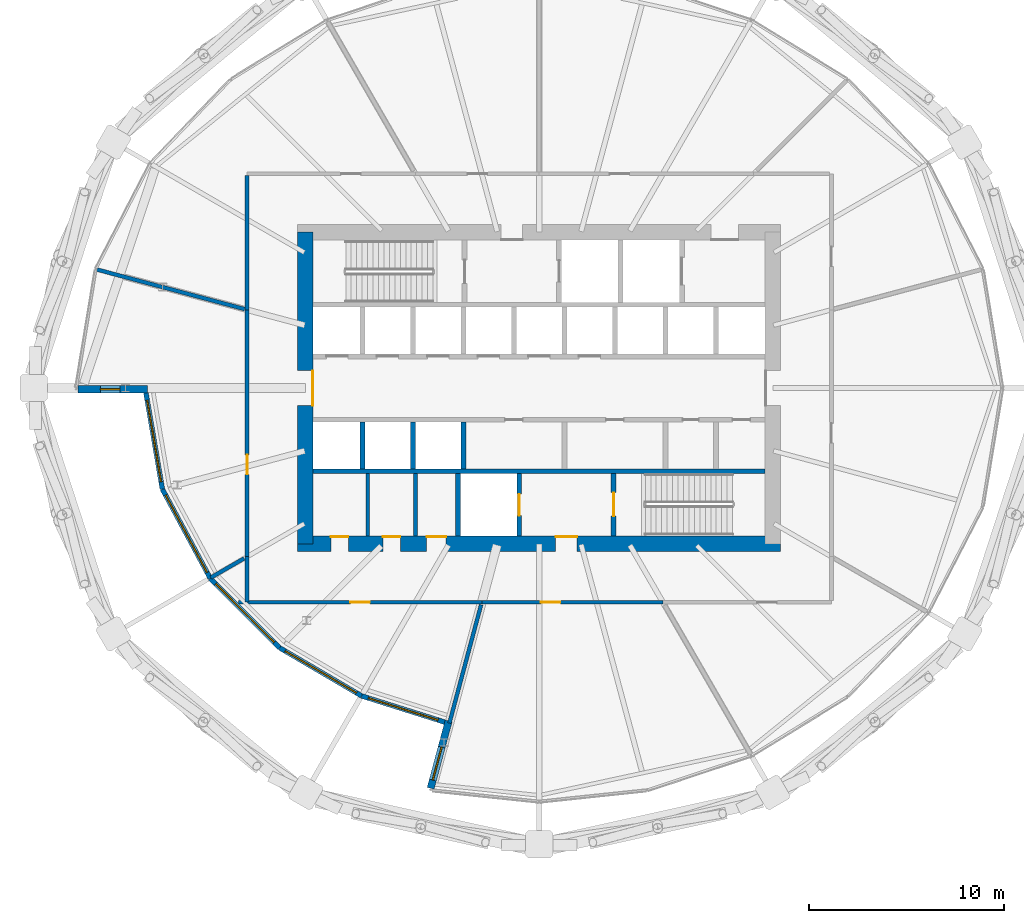
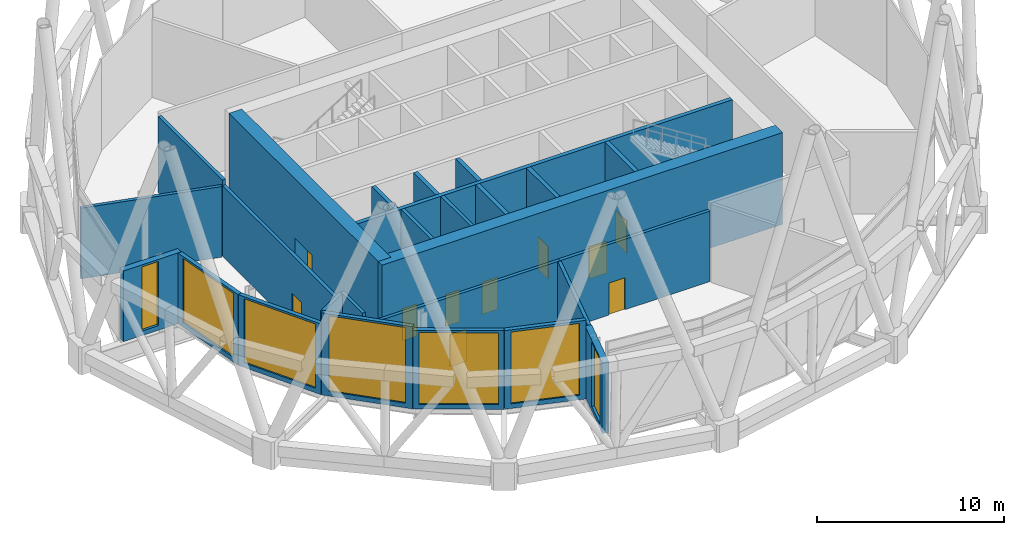
# One storey, part 26 of 33: 26 walls, 10 doors, 7 windows, 17 openings.
"""IFC4 building model written with IfcOpenShell, lengths in metres."""

from ifc_helpers import new_model, si_unit, direction, frame, frame_2d, origin, place, context, subcontext, project, spatial, rectangle, extrude, material, layer, layer_set, type_object, element, fill, save


model = new_model("IFC4")

# Units and contexts
model_context = context("Model", 3, precision=1e-05, world=origin(), true_north=direction((0.0, 1.0)))
body_context = subcontext(model_context, "Body", "Model", "MODEL_VIEW")
ifc_project = project(units=[si_unit("LENGTHUNIT", "METRE"), si_unit("AREAUNIT", "SQUARE_METRE"), si_unit("VOLUMEUNIT", "CUBIC_METRE"), si_unit("PLANEANGLEUNIT", "RADIAN"), si_unit("MASSUNIT", "GRAM", prefix="KILO")], contexts=[model_context])

# Site, building, storey
site_placement = place(None, origin())
site = spatial("IfcSite", under=ifc_project, at=site_placement, CompositionType="ELEMENT")
building_placement = place(site_placement, origin())
building = spatial("IfcBuilding", under=site, at=building_placement, Name="Rimbun Link Towers", CompositionType="ELEMENT")
storey_placement = place(building_placement, frame((0.0, 0.0, 75.60009765625)))
storey = spatial("IfcBuildingStorey", under=building, at=storey_placement, Name="L18", CompositionType="ELEMENT", Elevation=75.60009765625)

# Wall, opening, window
ifc_material_1 = material(Name="Dark enamelled glass spandrel on insulated aluminium backpan", Category="aluminium")
ifc_layer_1 = layer(ifc_material_1, 0.25)
ifc_layer_set_1 = layer_set([ifc_layer_1], Name="CS dark enamelled spandrel wall 250")
wall_type_1 = type_object("IfcWallType", Name="CS dark enamelled spandrel wall 250", PredefinedType="STANDARD", material=ifc_layer_set_1)
wall_1_placement = place(storey_placement, frame((-51.097900390625, -5.193359375, 0.0), z_axis=(0.0, 0.0, 1.0), x_axis=(-0.167966458539, 0.985792710871, 0.0)))
wall_1 = element("IfcWall", 1, at=wall_1_placement, inside=storey, type_object=wall_type_1, Name="Crease spandrel wall", PredefinedType="STANDARD", context=body_context, shape_type="SweptSolid", body=[
    extrude(rectangle(XDim=5.0146484375, YDim=0.25, at=frame_2d((2.50732421875, 0.0))), origin(), (0.0, 0.0, 1.0), 4.6298828125),
])
opening_1_placement = place(wall_1_placement, frame((0.38232421875, 0.0, 0.300048828125)))
opening_1 = element("IfcOpeningElement", 2, at=opening_1_placement, cuts=wall_1, Name="Opening WR42H420", PredefinedType="OPENING", context=body_context, shape_type="SweptSolid", body=[
    extrude(rectangle(XDim=4.25, YDim=4.199951171875, at=frame_2d((2.125, 2.10009765625))), frame((0.0, 0.135009765625, 0.0), z_axis=(0.0, -1.0, 0.0), x_axis=(1.0, 0.0, 0.0)), (0.0, 0.0, 1.0), 0.27001953125),
])
ifc_material_2 = material(Name="Aluminium framed fixed window, dark tinted low-e glass", Category="aluminium")
window_type_1 = type_object("IfcWindowType", Name="WR ribbon window 4250X4200", PartitioningType="SINGLE_PANEL", PredefinedType="WINDOW", material=ifc_material_2)
window_1_placement = place(opening_1_placement, origin())
window_1 = element("IfcWindow", 3, at=window_1_placement, inside=storey, type_object=window_type_1, Name="Crease ribbon window", OverallHeight=4.199951171875, OverallWidth=4.25, PartitioningType="SINGLE_PANEL", PredefinedType="WINDOW", context=body_context, shape_type="SweptSolid", body=[
    extrude(rectangle(XDim=4.25, YDim=4.199951171875, at=frame_2d((2.125, 2.10009765625))), frame((0.0, 0.030029296875, 0.0), z_axis=(0.0, -1.0, 0.0), x_axis=(1.0, 0.0, 0.0)), (0.0, 0.0, 1.0), 0.06005859375),
])
fill(opening_1, window_1)

wall_2_placement = place(storey_placement, frame((-48.640380859375, -9.7685546875, 0.0), z_axis=(0.0, 0.0, 1.0), x_axis=(-0.473196906601, 0.880956688824, 0.0)))
wall_2 = element("IfcWall", 4, at=wall_2_placement, inside=storey, type_object=wall_type_1, Name="Crease spandrel wall", PredefinedType="STANDARD", context=body_context, shape_type="SweptSolid", body=[
    extrude(rectangle(XDim=5.193359375, YDim=0.25, at=frame_2d((2.5966796875, 0.0))), origin(), (0.0, 0.0, 1.0), 4.6298828125),
])
opening_2_placement = place(wall_2_placement, frame((0.3466796875, 0.0, 0.300048828125)))
opening_2 = element("IfcOpeningElement", 5, at=opening_2_placement, cuts=wall_2, Name="Opening WR45H420", PredefinedType="OPENING", context=body_context, shape_type="SweptSolid", body=[
    extrude(rectangle(XDim=4.5, YDim=4.199951171875, at=frame_2d((2.25, 2.10009765625))), frame((0.0, 0.135009765625, 0.0), z_axis=(0.0, -1.0, 0.0), x_axis=(1.0, 0.0, 0.0)), (0.0, 0.0, 1.0), 0.27001953125),
])
ifc_material_3 = material(Name="Aluminium framed fixed window, dark tinted low-e glass", Category="aluminium")
window_type_2 = type_object("IfcWindowType", Name="WR ribbon window 4500X4200", PartitioningType="SINGLE_PANEL", PredefinedType="WINDOW", material=ifc_material_3)
window_2_placement = place(opening_2_placement, origin())
window_2 = element("IfcWindow", 6, at=window_2_placement, inside=storey, type_object=window_type_2, Name="Crease ribbon window", OverallHeight=4.199951171875, OverallWidth=4.5, PartitioningType="SINGLE_PANEL", PredefinedType="WINDOW", context=body_context, shape_type="SweptSolid", body=[
    extrude(rectangle(XDim=4.5, YDim=4.199951171875, at=frame_2d((2.25, 2.10009765625))), frame((0.0, 0.030029296875, 0.0), z_axis=(0.0, -1.0, 0.0), x_axis=(1.0, 0.0, 0.0)), (0.0, 0.0, 1.0), 0.06005859375),
])
fill(opening_2, window_2)

wall_3_placement = place(storey_placement, frame((-45.070068359375, -13.342529296875, 0.0), z_axis=(0.0, 0.0, 1.0), x_axis=(-0.706744230568, 0.707469146012, 0.0)))
wall_3 = element("IfcWall", 7, at=wall_3_placement, inside=storey, type_object=wall_type_1, Name="Crease spandrel wall", PredefinedType="STANDARD", context=body_context, shape_type="SweptSolid", body=[
    extrude(rectangle(XDim=5.0517578125, YDim=0.25, at=frame_2d((2.52587890625, 0.0))), origin(), (0.0, 0.0, 1.0), 5.37646484375),
])
opening_3_placement = place(wall_3_placement, frame((0.40087890625, 0.0, 0.300048828125)))
opening_3 = element("IfcOpeningElement", 8, at=opening_3_placement, cuts=wall_3, Name="Opening WR42H495", PredefinedType="OPENING", context=body_context, shape_type="SweptSolid", body=[
    extrude(rectangle(XDim=4.25, YDim=4.949951171875, at=frame_2d((2.125, 2.47509765625))), frame((0.0, 0.135009765625, 0.0), z_axis=(0.0, -1.0, 0.0), x_axis=(1.0, 0.0, 0.0)), (0.0, 0.0, 1.0), 0.27001953125),
])
ifc_material_4 = material(Name="Aluminium framed fixed window, dark tinted low-e glass", Category="aluminium")
window_type_3 = type_object("IfcWindowType", Name="WR ribbon window 4250X4950", PartitioningType="SINGLE_PANEL", PredefinedType="WINDOW", material=ifc_material_4)
window_3_placement = place(opening_3_placement, origin())
window_3 = element("IfcWindow", 9, at=window_3_placement, inside=storey, type_object=window_type_3, Name="Crease ribbon window", OverallHeight=4.949951171875, OverallWidth=4.25, PartitioningType="SINGLE_PANEL", PredefinedType="WINDOW", context=body_context, shape_type="SweptSolid", body=[
    extrude(rectangle(XDim=4.25, YDim=4.949951171875, at=frame_2d((2.125, 2.47509765625))), frame((0.0, 0.030029296875, 0.0), z_axis=(0.0, -1.0, 0.0), x_axis=(1.0, 0.0, 0.0)), (0.0, 0.0, 1.0), 0.06005859375),
])
fill(opening_3, window_3)

wall_4_placement = place(storey_placement, frame((-40.863037109375, -15.810791015625, 0.0), z_axis=(0.0, 0.0, 1.0), x_axis=(-0.862512671963, 0.506035463878, 0.0)))
wall_4 = element("IfcWall", 10, at=wall_4_placement, inside=storey, type_object=wall_type_1, Name="Crease spandrel wall", PredefinedType="STANDARD", context=body_context, shape_type="SweptSolid", body=[
    extrude(rectangle(XDim=4.877685546875, YDim=0.25, at=frame_2d((2.43896484375, 0.0))), origin(), (0.0, 0.0, 1.0), 5.146240234375),
])
opening_4_placement = place(wall_4_placement, frame((0.313720703125, 0.0, 0.300048828125)))
opening_4 = element("IfcOpeningElement", 11, at=opening_4_placement, cuts=wall_4, Name="Opening WR42H470", PredefinedType="OPENING", context=body_context, shape_type="SweptSolid", body=[
    extrude(rectangle(XDim=4.25, YDim=4.699951171875, at=frame_2d((2.125, 2.35009765625))), frame((0.0, 0.135009765625, 0.0), z_axis=(0.0, -1.0, 0.0), x_axis=(1.0, 0.0, 0.0)), (0.0, 0.0, 1.0), 0.27001953125),
])
ifc_material_5 = material(Name="Aluminium framed fixed window, dark tinted low-e glass", Category="aluminium")
window_type_4 = type_object("IfcWindowType", Name="WR ribbon window 4250X4700", PartitioningType="SINGLE_PANEL", PredefinedType="WINDOW", material=ifc_material_5)
window_4_placement = place(opening_4_placement, origin())
window_4 = element("IfcWindow", 12, at=window_4_placement, inside=storey, type_object=window_type_4, Name="Crease ribbon window", OverallHeight=4.699951171875, OverallWidth=4.25, PartitioningType="SINGLE_PANEL", PredefinedType="WINDOW", context=body_context, shape_type="SweptSolid", body=[
    extrude(rectangle(XDim=4.25, YDim=4.699951171875, at=frame_2d((2.125, 2.35009765625))), frame((0.0, 0.030029296875, 0.0), z_axis=(0.0, -1.0, 0.0), x_axis=(1.0, 0.0, 0.0)), (0.0, 0.0, 1.0), 0.06005859375),
])
fill(opening_4, window_4)

wall_5_placement = place(storey_placement, frame((-36.60498046875, -17.1533203125, 0.0), z_axis=(0.0, 0.0, 1.0), x_axis=(-0.953718929473, 0.300699523718, 0.0)))
wall_5 = element("IfcWall", 13, at=wall_5_placement, inside=storey, type_object=wall_type_1, Name="Crease spandrel wall", PredefinedType="STANDARD", context=body_context, shape_type="SweptSolid", body=[
    extrude(rectangle(XDim=4.464599609375, YDim=0.25, at=frame_2d((2.232421875, 0.0))), origin(), (0.0, 0.0, 1.0), 5.146240234375),
])
opening_5_placement = place(wall_5_placement, frame((0.357177734375, 0.0, 0.300048828125)))
opening_5 = element("IfcOpeningElement", 14, at=opening_5_placement, cuts=wall_5, Name="Opening WR38H470", PredefinedType="OPENING", context=body_context, shape_type="SweptSolid", body=[
    extrude(rectangle(XDim=3.75, YDim=4.699951171875, at=frame_2d((1.875, 2.35009765625))), frame((0.0, 0.135009765625, 0.0), z_axis=(0.0, -1.0, 0.0), x_axis=(1.0, 0.0, 0.0)), (0.0, 0.0, 1.0), 0.27001953125),
])
ifc_material_6 = material(Name="Aluminium framed fixed window, dark tinted low-e glass", Category="aluminium")
window_type_5 = type_object("IfcWindowType", Name="WR ribbon window 3750X4700", PartitioningType="SINGLE_PANEL", PredefinedType="WINDOW", material=ifc_material_6)
window_5_placement = place(opening_5_placement, origin())
window_5 = element("IfcWindow", 15, at=window_5_placement, inside=storey, type_object=window_type_5, Name="Crease ribbon window", OverallHeight=4.699951171875, OverallWidth=3.75, PartitioningType="SINGLE_PANEL", PredefinedType="WINDOW", context=body_context, shape_type="SweptSolid", body=[
    extrude(rectangle(XDim=3.75, YDim=4.699951171875, at=frame_2d((1.875, 2.35009765625))), frame((0.0, 0.030029296875, 0.0), z_axis=(0.0, -1.0, 0.0), x_axis=(1.0, 0.0, 0.0)), (0.0, 0.0, 1.0), 0.06005859375),
])
fill(opening_5, window_5)

ifc_material_7 = material(Name="Dark enamelled glass spandrel on insulated aluminium backpan", Category="aluminium")
ifc_layer_2 = layer(ifc_material_7, 0.3701171875)
ifc_layer_set_2 = layer_set([ifc_layer_2], Name="CS dark enamelled spandrel wall 370")
wall_type_2 = type_object("IfcWallType", Name="CS dark enamelled spandrel wall 370", PredefinedType="STANDARD", material=ifc_layer_set_2)
wall_6_placement = place(storey_placement, frame((-51.85595703125, -0.06494140625, 0.0), z_axis=(0.0, 0.0, 1.0), x_axis=(-1.0, 0.0, 0.0)))
wall_6 = element("IfcWall", 16, at=wall_6_placement, inside=storey, type_object=wall_type_2, Name="Crease spandrel wall", PredefinedType="STANDARD", context=body_context, shape_type="SweptSolid", body=[
    extrude(rectangle(XDim=3.579833984375, YDim=0.3701171875, at=frame_2d((1.7900390625, 0.0))), origin(), (0.0, 0.0, 1.0), 4.6298828125),
])
opening_6_placement = place(wall_6_placement, frame((1.422607421875, 0.0, 0.300048828125)))
opening_6 = element("IfcOpeningElement", 17, at=opening_6_placement, cuts=wall_6, Name="Opening WR10H420", PredefinedType="OPENING", context=body_context, shape_type="SweptSolid", body=[
    extrude(rectangle(XDim=1.0, YDim=4.199951171875, at=frame_2d((0.5, 2.10009765625))), frame((0.0, 0.195068359375, 0.0), z_axis=(0.0, -1.0, 0.0), x_axis=(1.0, 0.0, 0.0)), (0.0, 0.0, 1.0), 0.39013671875),
])
ifc_material_8 = material(Name="Aluminium framed fixed window, dark tinted low-e glass", Category="aluminium")
window_type_6 = type_object("IfcWindowType", Name="WR ribbon window 1000X4200", PartitioningType="SINGLE_PANEL", PredefinedType="WINDOW", material=ifc_material_8)
window_6_placement = place(opening_6_placement, origin())
window_6 = element("IfcWindow", 18, at=window_6_placement, inside=storey, type_object=window_type_6, Name="Crease ribbon window", OverallHeight=4.199951171875, OverallWidth=1.0, PartitioningType="SINGLE_PANEL", PredefinedType="WINDOW", context=body_context, shape_type="SweptSolid", body=[
    extrude(rectangle(XDim=1.0, YDim=4.199951171875, at=frame_2d((0.5, 2.10009765625))), frame((0.0, 0.030029296875, 0.0), z_axis=(0.0, -1.0, 0.0), x_axis=(1.0, 0.0, 0.0)), (0.0, 0.0, 1.0), 0.06005859375),
])
fill(opening_6, window_6)

wall_7_placement = place(storey_placement, frame((-37.323486328125, -20.549072265625, 0.0), z_axis=(0.0, 0.0, 1.0), x_axis=(0.258867887085, 0.965912737796, 0.0)))
wall_7 = element("IfcWall", 19, at=wall_7_placement, inside=storey, type_object=wall_type_2, Name="Crease spandrel wall", PredefinedType="STANDARD", context=body_context, shape_type="SweptSolid", body=[
    extrude(rectangle(XDim=3.580078125, YDim=0.3701171875, at=frame_2d((1.7900390625, 0.0))), origin(), (0.0, 0.0, 1.0), 4.6298828125),
])
opening_7_placement = place(wall_7_placement, frame((0.433837890625, 0.0, 0.300048828125)))
opening_7 = element("IfcOpeningElement", 20, at=opening_7_placement, cuts=wall_7, Name="Opening WR18H420", PredefinedType="OPENING", context=body_context, shape_type="SweptSolid", body=[
    extrude(rectangle(XDim=1.75, YDim=4.199951171875, at=frame_2d((0.875, 2.10009765625))), frame((0.0, 0.195068359375, 0.0), z_axis=(0.0, -1.0, 0.0), x_axis=(1.0, 0.0, 0.0)), (0.0, 0.0, 1.0), 0.39013671875),
])
ifc_material_9 = material(Name="Aluminium framed fixed window, dark tinted low-e glass", Category="aluminium")
window_type_7 = type_object("IfcWindowType", Name="WR ribbon window 1750X4200", PartitioningType="SINGLE_PANEL", PredefinedType="WINDOW", material=ifc_material_9)
window_7_placement = place(opening_7_placement, origin())
window_7 = element("IfcWindow", 21, at=window_7_placement, inside=storey, type_object=window_type_7, Name="Crease ribbon window", OverallHeight=4.199951171875, OverallWidth=1.75, PartitioningType="SINGLE_PANEL", PredefinedType="WINDOW", context=body_context, shape_type="SweptSolid", body=[
    extrude(rectangle(XDim=1.75, YDim=4.199951171875, at=frame_2d((0.875, 2.10009765625))), frame((0.0, 0.030029296875, 0.0), z_axis=(0.0, -1.0, 0.0), x_axis=(1.0, 0.0, 0.0)), (0.0, 0.0, 1.0), 0.06005859375),
])
fill(opening_7, window_7)

# Walls
ifc_material_10 = material(Name="Masonry blockwork", Category="masonry")
ifc_layer_3 = layer(ifc_material_10, 0.199951171875)
ifc_layer_set_3 = layer_set([ifc_layer_3], Name="Core partition 200")
wall_type_3 = type_object("IfcWallType", Name="Core partition 200", PredefinedType="PARTITIONING", material=ifc_layer_set_3)
for number, where, z_axis, x_axis, name in (
    (22, (-40.550048828125, -4.39990234375, 0.0), (0.0, 0.0, 1.0), (0.0, -1.0, 0.0), "L18 T1 core wall C1"),
    (23, (-38.10009765625, -4.39990234375, 0.0), (0.0, 0.0, 1.0), (0.0, -1.0, 0.0), "L18 T1 core wall C2"),
):
    element("IfcWall", number, at=place(storey_placement, frame(where, z_axis=z_axis, x_axis=x_axis)), inside=storey, type_object=wall_type_3, Name=name, PredefinedType="PARTITIONING", context=body_context, shape_type="SweptSolid", body=[
        extrude(rectangle(XDim=3.2001953125, YDim=0.199951171875, at=frame_2d((1.60009765625, 0.0))), origin(), (0.0, 0.0, 1.0), 6.0),
    ])

# Wall, openings, doors
ifc_material_11 = material(Name="Concrete C60/75", Category="concrete")
ifc_layer_4 = layer(ifc_material_11, 0.800048828125)
ifc_layer_set_4 = layer_set([ifc_layer_4], Name="Core shear wall 800")
wall_type_4 = type_object("IfcWallType", Name="Core shear wall 800", PredefinedType="SHEAR", material=ifc_layer_set_4)
wall_8_placement = place(storey_placement, frame((-44.14990234375, -8.0, 0.0), z_axis=(0.0, 0.0, 1.0), x_axis=(1.0, 0.0, 0.0)))
wall_8 = element("IfcWall", 24, at=wall_8_placement, inside=storey, type_object=wall_type_4, Name="L18 T1 core wall S", PredefinedType="SHEAR", context=body_context, shape_type="SweptSolid", body=[
    extrude(rectangle(XDim=24.7998046875, YDim=0.800048828125, at=frame_2d((12.39990234375, 0.0))), origin(), (0.0, 0.0, 1.0), 6.0),
])
opening_8_placement = place(wall_8_placement, frame((13.25, 0.0, 0.0)))
opening_8 = element("IfcOpeningElement", 25, at=opening_8_placement, cuts=wall_8, Name="Opening C1DCF01S", PredefinedType="OPENING", context=body_context, shape_type="SweptSolid", body=[
    extrude(rectangle(XDim=1.10009765625, YDim=2.10009765625, at=frame_2d((0.550048828125, 1.050048828125))), frame((0.0, 0.409912109375, 0.0), z_axis=(0.0, -1.0, 0.0), x_axis=(1.0, 0.0, 0.0)), (0.0, 0.0, 1.0), 0.820068359375),
])
opening_9_placement = place(wall_8_placement, frame((1.699951171875, 0.0, 0.0)))
opening_9 = element("IfcOpeningElement", 26, at=opening_9_placement, cuts=wall_8, Name="Opening C1DWC02S", PredefinedType="OPENING", context=body_context, shape_type="SweptSolid", body=[
    extrude(rectangle(XDim=0.89990234375, YDim=2.10009765625, at=frame_2d((0.449951171875, 1.050048828125))), frame((0.0, 0.409912109375, 0.0), z_axis=(0.0, -1.0, 0.0), x_axis=(1.0, 0.0, 0.0)), (0.0, 0.0, 1.0), 0.820068359375),
])
opening_10_placement = place(wall_8_placement, frame((4.375, 0.0, 0.0)))
opening_10 = element("IfcOpeningElement", 27, at=opening_10_placement, cuts=wall_8, Name="Opening C1DWC03S", PredefinedType="OPENING", context=body_context, shape_type="SweptSolid", body=[
    extrude(rectangle(XDim=0.89990234375, YDim=2.10009765625, at=frame_2d((0.449951171875, 1.050048828125))), frame((0.0, 0.409912109375, 0.0), z_axis=(0.0, -1.0, 0.0), x_axis=(1.0, 0.0, 0.0)), (0.0, 0.0, 1.0), 0.820068359375),
])
opening_11_placement = place(wall_8_placement, frame((6.625, 0.0, 0.0)))
opening_11 = element("IfcOpeningElement", 28, at=opening_11_placement, cuts=wall_8, Name="Opening C1DAW04S", PredefinedType="OPENING", context=body_context, shape_type="SweptSolid", body=[
    extrude(rectangle(XDim=1.0, YDim=2.10009765625, at=frame_2d((0.5, 1.050048828125))), frame((0.0, 0.409912109375, 0.0), z_axis=(0.0, -1.0, 0.0), x_axis=(1.0, 0.0, 0.0)), (0.0, 0.0, 1.0), 0.820068359375),
])
ifc_material_12 = material(Name="Timber", Category="wood")
door_type_1 = type_object("IfcDoorType", Name="Accessible WC door", OperationType="SINGLE_SWING_LEFT", PredefinedType="DOOR", material=ifc_material_12)
door_1_placement = place(opening_11_placement, origin())
door_1 = element("IfcDoor", 29, at=door_1_placement, inside=storey, type_object=door_type_1, Name="L18 T1 accessible wc door", OperationType="SINGLE_SWING_RIGHT", OverallHeight=2.10009765625, OverallWidth=1.0, PredefinedType="DOOR", context=body_context, shape_type="SweptSolid", body=[
    extrude(rectangle(XDim=1.0, YDim=2.10009765625, at=frame_2d((0.5, 1.050048828125))), frame((0.0, 0.39990234375, 0.0), z_axis=(0.0, -1.0, 0.0), x_axis=(1.0, 0.0, 0.0)), (0.0, 0.0, 1.0), 0.050048828125),
])
fill(opening_11, door_1)
ifc_material_13 = material(Name="Steel fire door set", Category="steel")
door_type_2 = type_object("IfcDoorType", Name="Core fire door single", OperationType="SINGLE_SWING_LEFT", PredefinedType="DOOR", material=ifc_material_13)
door_2_placement = place(opening_8_placement, origin())
door_2 = element("IfcDoor", 30, at=door_2_placement, inside=storey, type_object=door_type_2, Name="L18 T1 firefighting lobby s door", OperationType="SINGLE_SWING_LEFT", OverallHeight=2.10009765625, OverallWidth=1.10009765625, PredefinedType="DOOR", context=body_context, shape_type="SweptSolid", body=[
    extrude(rectangle(XDim=1.10009765625, YDim=2.10009765625, at=frame_2d((0.550048828125, 1.050048828125))), frame((0.0, 0.39990234375, 0.0), z_axis=(0.0, -1.0, 0.0), x_axis=(1.0, 0.0, 0.0)), (0.0, 0.0, 1.0), 0.050048828125),
])
fill(opening_8, door_2)
ifc_material_14 = material(Name="Timber", Category="wood")
door_type_3 = type_object("IfcDoorType", Name="WC door", OperationType="SINGLE_SWING_LEFT", PredefinedType="DOOR", material=ifc_material_14)
door_3_placement = place(opening_9_placement, origin())
door_3 = element("IfcDoor", 31, at=door_3_placement, inside=storey, type_object=door_type_3, Name="L18 T1 male wc door", OperationType="SINGLE_SWING_RIGHT", OverallHeight=2.10009765625, OverallWidth=0.89990234375, PredefinedType="DOOR", context=body_context, shape_type="SweptSolid", body=[
    extrude(rectangle(XDim=0.89990234375, YDim=2.10009765625, at=frame_2d((0.449951171875, 1.050048828125))), frame((0.0, 0.39990234375, 0.0), z_axis=(0.0, -1.0, 0.0), x_axis=(1.0, 0.0, 0.0)), (0.0, 0.0, 1.0), 0.050048828125),
])
fill(opening_9, door_3)
door_4_placement = place(opening_10_placement, origin())
door_4 = element("IfcDoor", 32, at=door_4_placement, inside=storey, type_object=door_type_3, Name="L18 T1 female wc door", OperationType="SINGLE_SWING_RIGHT", OverallHeight=2.10009765625, OverallWidth=0.89990234375, PredefinedType="DOOR", context=body_context, shape_type="SweptSolid", body=[
    extrude(rectangle(XDim=0.89990234375, YDim=2.10009765625, at=frame_2d((0.449951171875, 1.050048828125))), frame((0.0, 0.39990234375, 0.0), z_axis=(0.0, -1.0, 0.0), x_axis=(1.0, 0.0, 0.0)), (0.0, 0.0, 1.0), 0.050048828125),
])
fill(opening_10, door_4)

# Wall, opening, door
wall_9_placement = place(storey_placement, frame((-43.75, -8.0, 0.0), z_axis=(0.0, 0.0, 1.0), x_axis=(0.0, 1.0, 0.0)))
wall_9 = element("IfcWall", 33, at=wall_9_placement, inside=storey, type_object=wall_type_4, Name="L18 T1 core wall W", PredefinedType="SHEAR", context=body_context, shape_type="SweptSolid", body=[
    extrude(rectangle(XDim=16.0, YDim=0.800048828125, at=frame_2d((8.0, 0.0))), origin(), (0.0, 0.0, 1.0), 6.0),
])
opening_12_placement = place(wall_9_placement, frame((7.10009765625, 0.0, 0.0)))
opening_12 = element("IfcOpeningElement", 34, at=opening_12_placement, cuts=wall_9, Name="Opening C1DCL01W", PredefinedType="OPENING", context=body_context, shape_type="SweptSolid", body=[
    extrude(rectangle(XDim=1.800048828125, YDim=2.10009765625, at=frame_2d((0.89990234375, 1.050048828125))), frame((0.0, 0.409912109375, 0.0), z_axis=(0.0, -1.0, 0.0), x_axis=(1.0, 0.0, 0.0)), (0.0, 0.0, 1.0), 0.820068359375),
])
ifc_material_15 = material(Name="Steel fire door set", Category="steel")
door_type_4 = type_object("IfcDoorType", Name="Core lobby door double", OperationType="DOUBLE_DOOR_SINGLE_SWING", PredefinedType="DOOR", material=ifc_material_15)
door_5_placement = place(opening_12_placement, origin())
door_5 = element("IfcDoor", 35, at=door_5_placement, inside=storey, type_object=door_type_4, Name="L18 T1 lift lobby door", OperationType="DOUBLE_DOOR_SINGLE_SWING", OverallHeight=2.10009765625, OverallWidth=1.800048828125, PredefinedType="DOOR", context=body_context, shape_type="SweptSolid", body=[
    extrude(rectangle(XDim=1.800048828125, YDim=2.10009765625, at=frame_2d((0.89990234375, 1.050048828125))), frame((0.0, -0.35009765625, 0.0), z_axis=(0.0, -1.0, 0.0), x_axis=(1.0, 0.0, 0.0)), (0.0, 0.0, 1.0), 0.050048828125),
])
fill(opening_12, door_5)

# Wall
ifc_material_16 = material(Name="Concrete blockwork", Category="masonry")
ifc_layer_5 = layer(ifc_material_16, 0.199951171875)
ifc_layer_set_5 = layer_set([ifc_layer_5], Name="Fire partition 200 blockwork")
wall_type_5 = type_object("IfcWallType", Name="Fire partition 200 blockwork", PredefinedType="PARTITIONING", material=ifc_layer_set_5)
wall_10_placement = place(storey_placement, frame((-46.75, -8.660400390625, 0.0), z_axis=(0.0, 0.0, 1.0), x_axis=(0.0, -1.0, 0.0)))
element("IfcWall", 36, at=wall_10_placement, inside=storey, type_object=wall_type_5, Name="TW/PW/L18/001", PredefinedType="PARTITIONING", context=body_context, shape_type="SweptSolid", body=[
    extrude(rectangle(XDim=2.318603515625, YDim=0.199951171875, at=frame_2d((1.1591796875, 0.0))), origin(), (0.0, 0.0, 1.0), 5.366943359375),
])

# Wall, opening, door
wall_11_placement = place(storey_placement, frame((-47.18359375, -11.0, 0.0), z_axis=(0.0, 0.0, 1.0), x_axis=(1.0, 0.0, 0.0)))
wall_11 = element("IfcWall", 37, at=wall_11_placement, inside=storey, type_object=wall_type_5, Name="TW/PW/L18/002", PredefinedType="PARTITIONING", context=body_context, shape_type="SweptSolid", body=[
    extrude(rectangle(XDim=12.486083984375, YDim=0.199951171875, at=frame_2d((6.2431640625, 0.0))), origin(), (0.0, 0.0, 1.0), 4.619873046875),
])
opening_13_placement = place(wall_11_placement, frame((5.742919921875, 0.0, 0.0)))
opening_13 = element("IfcOpeningElement", 38, at=opening_13_placement, cuts=wall_11, Name="Opening TW D18.01", PredefinedType="OPENING", context=body_context, shape_type="SweptSolid", body=[
    extrude(rectangle(XDim=1.0, YDim=2.10009765625, at=frame_2d((0.5, 1.050048828125))), frame((0.0, 0.10986328125, 0.0), z_axis=(0.0, -1.0, 0.0), x_axis=(1.0, 0.0, 0.0)), (0.0, 0.0, 1.0), 0.219970703125),
])
ifc_material_17 = material(Name="Steel fire door set", Category="steel")
door_type_5 = type_object("IfcDoorType", Name="Fire door single leaf 1000 x 2100", OperationType="NOTDEFINED", PredefinedType="DOOR", material=ifc_material_17)
door_6_placement = place(opening_13_placement, origin())
door_6 = element("IfcDoor", 39, at=door_6_placement, inside=storey, type_object=door_type_5, Name="TW/DR/L18/001", OperationType="SINGLE_SWING_RIGHT", OverallHeight=2.10009765625, OverallWidth=1.0, PredefinedType="DOOR", context=body_context, shape_type="SweptSolid", body=[
    extrude(rectangle(XDim=1.0, YDim=2.10009765625, at=frame_2d((0.5, 1.050048828125))), frame((0.0, 0.02490234375, 0.0), z_axis=(0.0, -1.0, 0.0), x_axis=(1.0, 0.0, 0.0)), (0.0, 0.0, 1.0), 0.050048828125),
])
fill(opening_13, door_6)

wall_12_placement = place(storey_placement, frame((-34.697509765625, -11.0, 0.0), z_axis=(0.0, 0.0, 1.0), x_axis=(1.0, 0.0, 0.0)))
wall_12 = element("IfcWall", 40, at=wall_12_placement, inside=storey, type_object=wall_type_5, Name="TW/PW/L18/003", PredefinedType="PARTITIONING", context=body_context, shape_type="SweptSolid", body=[
    extrude(rectangle(XDim=9.29833984375, YDim=0.199951171875, at=frame_2d((4.649169921875, 0.0))), origin(), (0.0, 0.0, 1.0), 4.619873046875),
])
opening_14_placement = place(wall_12_placement, frame((3.0390625, 0.0, 0.0)))
opening_14 = element("IfcOpeningElement", 41, at=opening_14_placement, cuts=wall_12, Name="Opening TW D18.02", PredefinedType="OPENING", context=body_context, shape_type="SweptSolid", body=[
    extrude(rectangle(XDim=1.0, YDim=2.10009765625, at=frame_2d((0.5, 1.050048828125))), frame((0.0, 0.10986328125, 0.0), z_axis=(0.0, -1.0, 0.0), x_axis=(1.0, 0.0, 0.0)), (0.0, 0.0, 1.0), 0.219970703125),
])
door_7_placement = place(opening_14_placement, origin())
door_7 = element("IfcDoor", 42, at=door_7_placement, inside=storey, type_object=door_type_5, Name="TW/DR/L18/002", OperationType="SINGLE_SWING_LEFT", OverallHeight=2.10009765625, OverallWidth=1.0, PredefinedType="DOOR", context=body_context, shape_type="SweptSolid", body=[
    extrude(rectangle(XDim=1.0, YDim=2.10009765625, at=frame_2d((0.5, 1.050048828125))), frame((0.0, 0.02490234375, 0.0), z_axis=(0.0, -1.0, 0.0), x_axis=(1.0, 0.0, 0.0)), (0.0, 0.0, 1.0), 0.050048828125),
])
fill(opening_14, door_7)

# Wall
wall_13_placement = place(storey_placement, frame((-46.75, 10.89990234375, 0.0), z_axis=(0.0, 0.0, 1.0), x_axis=(0.0, -1.0, 0.0)))
element("IfcWall", 43, at=wall_13_placement, inside=storey, type_object=wall_type_5, Name="TW/PW/L18/012", PredefinedType="PARTITIONING", context=body_context, shape_type="SweptSolid", body=[
    extrude(rectangle(XDim=6.880615234375, YDim=0.199951171875, at=frame_2d((3.4404296875, 0.0))), origin(), (0.0, 0.0, 1.0), 4.97900390625),
])

# Wall, opening, door
wall_14_placement = place(storey_placement, frame((-46.75, 4.019287109375, 0.0), z_axis=(0.0, 0.0, 1.0), x_axis=(0.0, -1.0, 0.0)))
wall_14 = element("IfcWall", 44, at=wall_14_placement, inside=storey, type_object=wall_type_5, Name="TW/PW/L18/013", PredefinedType="PARTITIONING", context=body_context, shape_type="SweptSolid", body=[
    extrude(rectangle(XDim=12.6796875, YDim=0.199951171875, at=frame_2d((6.33984375, 0.0))), origin(), (0.0, 0.0, 1.0), 4.619873046875),
])
opening_15_placement = place(wall_14_placement, frame((7.45703125, 0.0, 0.0)))
opening_15 = element("IfcOpeningElement", 45, at=opening_15_placement, cuts=wall_14, Name="Opening TW D18.09", PredefinedType="OPENING", context=body_context, shape_type="SweptSolid", body=[
    extrude(rectangle(XDim=1.0, YDim=2.10009765625, at=frame_2d((0.5, 1.050048828125))), frame((0.0, 0.10986328125, 0.0), z_axis=(0.0, -1.0, 0.0), x_axis=(1.0, 0.0, 0.0)), (0.0, 0.0, 1.0), 0.219970703125),
])
door_8_placement = place(opening_15_placement, origin())
door_8 = element("IfcDoor", 46, at=door_8_placement, inside=storey, type_object=door_type_5, Name="TW/DR/L18/009", OperationType="SINGLE_SWING_RIGHT", OverallHeight=2.10009765625, OverallWidth=1.0, PredefinedType="DOOR", context=body_context, shape_type="SweptSolid", body=[
    extrude(rectangle(XDim=1.0, YDim=2.10009765625, at=frame_2d((0.5, 1.050048828125))), frame((0.0, 0.02490234375, 0.0), z_axis=(0.0, -1.0, 0.0), x_axis=(1.0, 0.0, 0.0)), (0.0, 0.0, 1.0), 0.050048828125),
])
fill(opening_15, door_8)

# Walls
wall_15_placement = place(storey_placement, frame((-36.35986328125, -17.204345703125, 0.0), z_axis=(0.0, 0.0, 1.0), x_axis=(0.258814301567, 0.965927097303, 0.0)))
element("IfcWall", 47, at=wall_15_placement, inside=storey, type_object=wall_type_5, Name="TW/PW/L18/014", PredefinedType="PARTITIONING", context=body_context, shape_type="SweptSolid", body=[
    extrude(rectangle(XDim=6.292724609375, YDim=0.199951171875, at=frame_2d((3.146484375, 0.0))), origin(), (0.0, 0.0, 1.0), 4.619873046875),
])
wall_16_placement = place(storey_placement, frame((-46.89990234375, -8.746826171875, 0.0), z_axis=(0.0, 0.0, 1.0), x_axis=(-0.866041328748, -0.499972416139, 0.0)))
element("IfcWall", 48, at=wall_16_placement, inside=storey, type_object=wall_type_5, Name="TW/PW/L18/015", PredefinedType="PARTITIONING", context=body_context, shape_type="SweptSolid", body=[
    extrude(rectangle(XDim=1.97265625, YDim=0.199951171875, at=frame_2d((0.986328125, 0.0))), origin(), (0.0, 0.0, 1.0), 5.366943359375),
])
wall_17_placement = place(storey_placement, frame((-54.45556640625, 6.083984375, 0.0), z_axis=(0.0, 0.0, 1.0), x_axis=(0.965923886607, -0.258826283988, 0.0)))
element("IfcWall", 49, at=wall_17_placement, inside=storey, type_object=wall_type_5, Name="TW/PW/L18/022", PredefinedType="PARTITIONING", context=body_context, shape_type="SweptSolid", body=[
    extrude(rectangle(XDim=7.846923828125, YDim=0.199951171875, at=frame_2d((3.92333984375, 0.0))), origin(), (0.0, 0.0, 1.0), 4.619873046875),
])
ifc_material_18 = material(Name="Concrete C60/75", Category="concrete")
ifc_layer_6 = layer(ifc_material_18, 0.25)
ifc_layer_set_6 = layer_set([ifc_layer_6], Name="Shaft wall 250")
wall_type_6 = type_object("IfcWallType", Name="Shaft wall 250", PredefinedType="SHEAR", material=ifc_layer_set_6)
wall_18_placement = place(storey_placement, frame((-43.35009765625, -4.27490234375, 0.0), z_axis=(0.0, 0.0, 1.0), x_axis=(1.0, 0.0, 0.0)))
element("IfcWall", 50, at=wall_18_placement, inside=storey, type_object=wall_type_6, Name="L18 T1 core wall BS", PredefinedType="SHEAR", context=body_context, shape_type="SweptSolid", body=[
    extrude(rectangle(XDim=23.2001953125, YDim=0.25, at=frame_2d((11.60009765625, 0.0))), origin(), (0.0, 0.0, 1.0), 6.0),
])
for number, where, z_axis, x_axis, name in (
    (51, (-40.83056640625, -4.14990234375, 0.0), (0.0, 0.0, 1.0), (0.0, 1.0, 0.0), "L18 T1 core wall DS0"),
    (52, (-38.236083984375, -4.14990234375, 0.0), (0.0, 0.0, 1.0), (0.0, 1.0, 0.0), "L18 T1 core wall DS1"),
    (53, (-35.6416015625, -4.14990234375, 0.0), (0.0, 0.0, 1.0), (0.0, 1.0, 0.0), "L18 T1 core wall DS2"),
):
    element("IfcWall", number, at=place(storey_placement, frame(where, z_axis=z_axis, x_axis=x_axis)), inside=storey, type_object=wall_type_6, Name=name, PredefinedType="SHEAR", context=body_context, shape_type="SweptSolid", body=[
        extrude(rectangle(XDim=2.39990234375, YDim=0.25, at=frame_2d((1.199951171875, 0.0))), origin(), (0.0, 0.0, 1.0), 6.0),
    ])

# Wall, opening, door
wall_19_placement = place(storey_placement, frame((-27.925048828125, -4.39990234375, 0.0), z_axis=(0.0, 0.0, 1.0), x_axis=(0.0, -1.0, 0.0)))
wall_19 = element("IfcWall", 54, at=wall_19_placement, inside=storey, type_object=wall_type_6, Name="L18 T1 core wall B1", PredefinedType="SHEAR", context=body_context, shape_type="SweptSolid", body=[
    extrude(rectangle(XDim=3.2001953125, YDim=0.25, at=frame_2d((1.60009765625, 0.0))), origin(), (0.0, 0.0, 1.0), 6.0),
])
opening_16_placement = place(wall_19_placement, frame((0.97509765625, 0.0, 0.0)))
opening_16 = element("IfcOpeningElement", 55, at=opening_16_placement, cuts=wall_19, Name="Opening C1DST01B1", PredefinedType="OPENING", context=body_context, shape_type="SweptSolid", body=[
    extrude(rectangle(XDim=1.199951171875, YDim=2.10009765625, at=frame_2d((0.60009765625, 1.050048828125))), frame((0.0, 0.135009765625, 0.0), z_axis=(0.0, -1.0, 0.0), x_axis=(1.0, 0.0, 0.0)), (0.0, 0.0, 1.0), 0.27001953125),
])
ifc_material_19 = material(Name="Steel fire door set", Category="steel")
door_type_6 = type_object("IfcDoorType", Name="Stair door", OperationType="SINGLE_SWING_LEFT", PredefinedType="DOOR", material=ifc_material_19)
door_9_placement = place(opening_16_placement, origin())
door_9 = element("IfcDoor", 56, at=door_9_placement, inside=storey, type_object=door_type_6, Name="L18 T1 stair b door", OperationType="SINGLE_SWING_RIGHT", OverallHeight=2.10009765625, OverallWidth=1.199951171875, PredefinedType="DOOR", context=body_context, shape_type="SweptSolid", body=[
    extrude(rectangle(XDim=1.199951171875, YDim=2.10009765625, at=frame_2d((0.60009765625, 1.050048828125))), frame((0.0, 0.02490234375, 0.0), z_axis=(0.0, -1.0, 0.0), x_axis=(1.0, 0.0, 0.0)), (0.0, 0.0, 1.0), 0.050048828125),
])
fill(opening_16, door_9)

wall_20_placement = place(storey_placement, frame((-32.77490234375, -4.39990234375, 0.0), z_axis=(0.0, 0.0, 1.0), x_axis=(0.0, -1.0, 0.0)))
wall_20 = element("IfcWall", 57, at=wall_20_placement, inside=storey, type_object=wall_type_6, Name="L18 T1 core wall B2", PredefinedType="SHEAR", context=body_context, shape_type="SweptSolid", body=[
    extrude(rectangle(XDim=3.2001953125, YDim=0.25, at=frame_2d((1.60009765625, 0.0))), origin(), (0.0, 0.0, 1.0), 6.0),
])
opening_17_placement = place(wall_20_placement, frame((1.050048828125, 0.0, 0.0)))
opening_17 = element("IfcOpeningElement", 58, at=opening_17_placement, cuts=wall_20, Name="Opening LD-T1-FF2", PredefinedType="OPENING", context=body_context, shape_type="SweptSolid", body=[
    extrude(rectangle(XDim=1.10009765625, YDim=2.10009765625, at=frame_2d((0.550048828125, 1.050048828125))), frame((0.0, 0.135009765625, 0.0), z_axis=(0.0, -1.0, 0.0), x_axis=(1.0, 0.0, 0.0)), (0.0, 0.0, 1.0), 0.27001953125),
])
ifc_material_20 = material(Name="Stainless steel grade 316", Category="steel")
door_type_7 = type_object("IfcDoorType", Name="Lift landing door", OperationType="DOUBLE_DOOR_SLIDING", PredefinedType="DOOR", material=ifc_material_20)
door_10_placement = place(opening_17_placement, origin())
door_10 = element("IfcDoor", 59, at=door_10_placement, inside=storey, type_object=door_type_7, Name="L18 T1 lift FF2 landing door", OperationType="DOUBLE_DOOR_SLIDING", OverallHeight=2.10009765625, OverallWidth=1.10009765625, PredefinedType="DOOR", context=body_context, shape_type="SweptSolid", body=[
    extrude(rectangle(XDim=1.10009765625, YDim=2.10009765625, at=frame_2d((0.550048828125, 1.050048828125))), frame((0.0, 0.02490234375, 0.0), z_axis=(0.0, -1.0, 0.0), x_axis=(1.0, 0.0, 0.0)), (0.0, 0.0, 1.0), 0.050048828125),
])
fill(opening_17, door_10)

# Wall
wall_21_placement = place(storey_placement, frame((-35.925048828125, -4.39990234375, 0.0), z_axis=(0.0, 0.0, 1.0), x_axis=(0.0, -1.0, 0.0)))
element("IfcWall", 60, at=wall_21_placement, inside=storey, type_object=wall_type_6, Name="L18 T1 core wall B3", PredefinedType="SHEAR", context=body_context, shape_type="SweptSolid", body=[
    extrude(rectangle(XDim=3.2001953125, YDim=0.25, at=frame_2d((1.60009765625, 0.0))), origin(), (0.0, 0.0, 1.0), 6.0),
])

save(model, "model.ifc")
